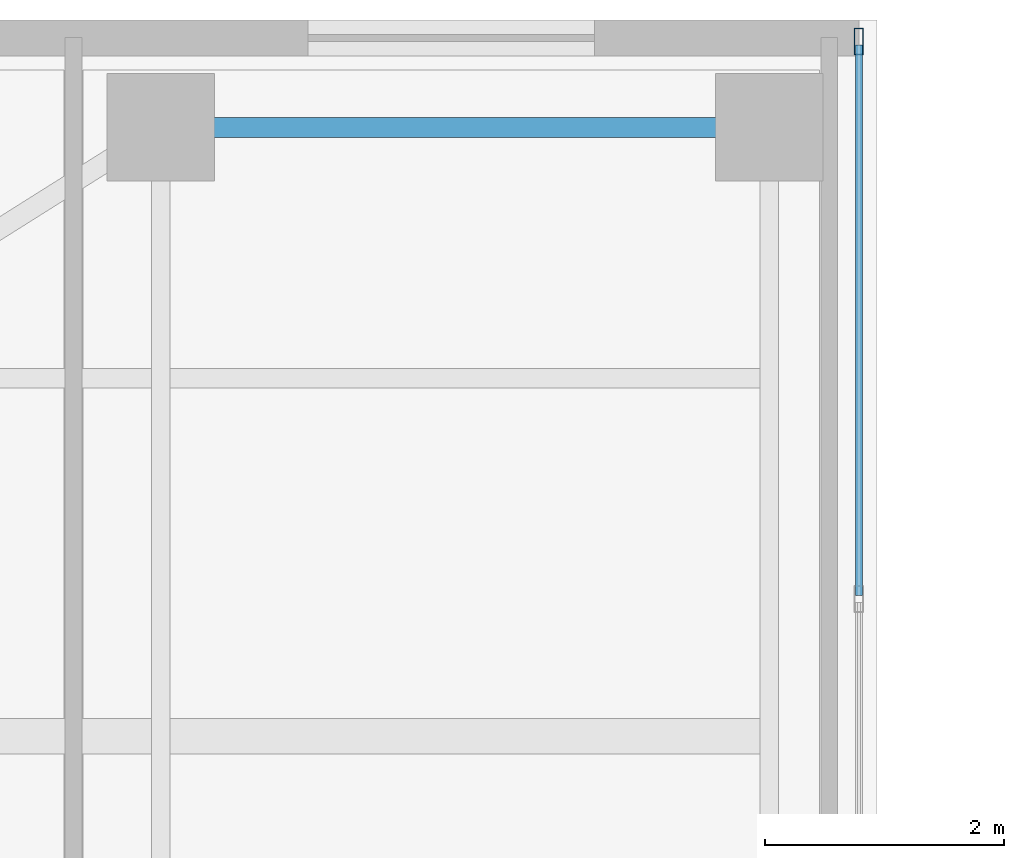
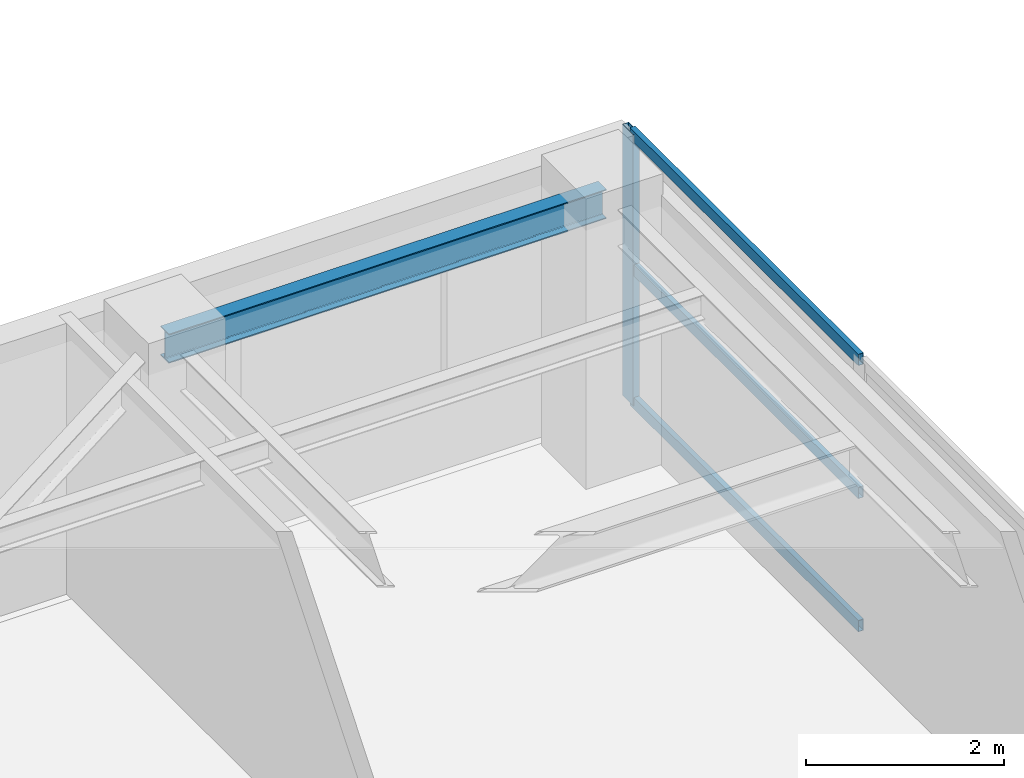
# One storey, part 13 of 21: 4 members, 1 beam, 1 element without a shape of its own.
"""IFC4 building model written with IfcOpenShell, lengths in metres."""

from ifc_helpers import new_model, si_unit, direction, frame, origin, origin_2d, place, context, subcontext, project, spatial, hollow_rectangle, i_section, extrude, source, transform, mapped, material, layer, layer_set, material_profile, profile_set, type_object, element, aggregate, save


model = new_model("IFC4")

# Units and contexts
model_context = context("Model", 3, precision=1e-05, world=origin(), true_north=direction((0.0, 1.0)))
body_context = subcontext(model_context, "Body", "Model", "MODEL_VIEW")
ifc_project = project(units=[si_unit("LENGTHUNIT", "METRE"), si_unit("AREAUNIT", "SQUARE_METRE"), si_unit("VOLUMEUNIT", "CUBIC_METRE"), si_unit("PLANEANGLEUNIT", "RADIAN"), si_unit("MASSUNIT", "GRAM", prefix="KILO")], contexts=[model_context])

# Site, building, storey
site_placement = place(None, origin())
site = spatial("IfcSite", under=ifc_project, at=site_placement, CompositionType="ELEMENT")
building_placement = place(site_placement, origin())
building = spatial("IfcBuilding", under=site, at=building_placement, Name="Khoralis Quay Care Tower", CompositionType="ELEMENT")
storey_placement = place(building_placement, frame((0.0, 0.0, 206.10009765625)))
storey = spatial("IfcBuildingStorey", under=building, at=storey_placement, Name="L54", CompositionType="ELEMENT", Elevation=206.10009765625)

# Beam
ifc_material_1 = material(Name="Steel S355", Category="steel")
ifc_material_profile_1 = material_profile(ifc_material_1, i_section(OverallWidth=0.169921875, OverallDepth=0.360107421875, WebThickness=0.008056640625, FlangeThickness=0.0126953125, FilletRadius=0.01806640625, at=origin_2d()), Name="Steel S355")
ifc_profile_set_1 = profile_set([ifc_material_profile_1], Name="Steel S355")
beam_type = type_object("IfcBeamType", Name="BM-IPE360", PredefinedType="SPANDREL", material=ifc_profile_set_1)
shared_shape_1 = source(origin(), body_context, "Body", "SweptSolid", [
    extrude(i_section(OverallWidth=0.169921875, OverallDepth=0.360107421875, WebThickness=0.008056640625, FlangeThickness=0.0126953125, FilletRadius=0.01806640625, at=origin_2d()), origin(), (0.0, 0.0, 1.0), 5.10009765625),
])
beam_placement = place(storey_placement, frame((12.0, 41.10009765625, 3.159912109375), z_axis=(1.0, 0.0, 0.0), x_axis=(0.0, 1.0, 0.0)))
element("IfcBeam", 1, at=beam_placement, inside=storey, type_object=beam_type, Name="BM-TSP-L54-03", PredefinedType="SPANDREL", context=body_context, shape_type="MappedRepresentation", body=[
    mapped(shared_shape_1, transform((0.0, 0.0, 0.0), scale=1.0)),
])

# Curtain wall, members
ifc_material_2 = material(Name="Pale anodised aluminium", Category="aluminium")
ifc_layer = layer(ifc_material_2, 0.18994140625)
ifc_layer_set = layer_set([ifc_layer], Name="Pale anodised aluminium")
curtain_wall_type = type_object("IfcCurtainWallType", Name="CW-SYS-PORTAL", PredefinedType="NOTDEFINED", material=ifc_layer_set)
curtain_wall_placement = place(storey_placement, origin())
curtain_wall = element("IfcCurtainWall", 2, at=curtain_wall_placement, inside=storey, type_object=curtain_wall_type, Name="L54 Unitised Curtain Wall CW-VP-L54-P1-N", PredefinedType="NOTDEFINED")
ifc_material_profile_2 = material_profile(ifc_material_2, hollow_rectangle(XDim=0.06005859375, YDim=0.139892578125, WallThickness=0.00390625, at=origin_2d()), Name="Pale anodised aluminium")
ifc_profile_set_2 = profile_set([ifc_material_profile_2], Name="Pale anodised aluminium")
member_type_1 = type_object("IfcMemberType", Name="CW-TRN-140", PredefinedType="USERDEFINED", material=ifc_profile_set_2)
shared_shape_2 = source(origin(), body_context, "Body", "SweptSolid", [
    extrude(hollow_rectangle(XDim=0.06005859375, YDim=0.139892578125, WallThickness=0.00390625, at=origin_2d()), origin(), (0.0, 0.0, 1.0), 4.610107421875),
])
member_1_placement = place(storey_placement, frame((17.85009765625, 37.179931640625, 0.02978515625), z_axis=(0.0, 1.0, 0.0), x_axis=(-1.0, 0.0, 0.0)))
member_1 = element("IfcMember", 3, at=member_1_placement, type_object=member_type_1, Name="CW4 transom 3.1", ObjectType="TRANSOM", PredefinedType="USERDEFINED", context=body_context, shape_type="MappedRepresentation", body=[
    mapped(shared_shape_2, transform((0.0, 0.0, 0.0), scale=1.0)),
])
member_2_placement = place(storey_placement, frame((17.85009765625, 37.179931640625, 1.669921875), z_axis=(0.0, 1.0, 0.0), x_axis=(-1.0, 0.0, 0.0)))
member_2 = element("IfcMember", 4, at=member_2_placement, type_object=member_type_1, Name="CW4 transom 3.2", ObjectType="TRANSOM", PredefinedType="USERDEFINED", context=body_context, shape_type="MappedRepresentation", body=[
    mapped(shared_shape_2, transform((0.0, 0.0, 0.0), scale=1.0)),
])
member_3_placement = place(storey_placement, frame((17.85009765625, 37.179931640625, 3.309814453125), z_axis=(0.0, 1.0, 0.0), x_axis=(-1.0, 0.0, 0.0)))
member_3 = element("IfcMember", 5, at=member_3_placement, type_object=member_type_1, Name="CW4 transom 3.3", ObjectType="TRANSOM", PredefinedType="USERDEFINED", context=body_context, shape_type="MappedRepresentation", body=[
    mapped(shared_shape_2, transform((0.0, 0.0, 0.0), scale=1.0)),
])
ifc_material_profile_3 = material_profile(ifc_material_2, hollow_rectangle(XDim=0.074951171875, YDim=0.219970703125, WallThickness=0.00390625, at=origin_2d()), Name="Pale anodised aluminium")
ifc_profile_set_3 = profile_set([ifc_material_profile_3], Name="Pale anodised aluminium")
member_type_2 = type_object("IfcMemberType", Name="CW-MUL-220", PredefinedType="MULLION", material=ifc_profile_set_3)
shared_shape_3 = source(origin(), body_context, "Body", "SweptSolid", [
    extrude(hollow_rectangle(XDim=0.074951171875, YDim=0.219970703125, WallThickness=0.00390625, at=origin_2d()), origin(), (0.0, 0.0, 1.0), 3.33984375),
])
member_4_placement = place(storey_placement, frame((17.85009765625, 41.820068359375, 0.0), z_axis=(0.0, 0.0, 1.0), x_axis=(-1.0, 0.0, 0.0)))
member_4 = element("IfcMember", 6, at=member_4_placement, type_object=member_type_2, Name="CW4 mullion 4", PredefinedType="MULLION", context=body_context, shape_type="MappedRepresentation", body=[
    mapped(shared_shape_3, transform((0.0, 0.0, 0.0), scale=1.0)),
])
aggregate(curtain_wall, [member_4, member_1, member_2, member_3])

save(model, "model.ifc")
